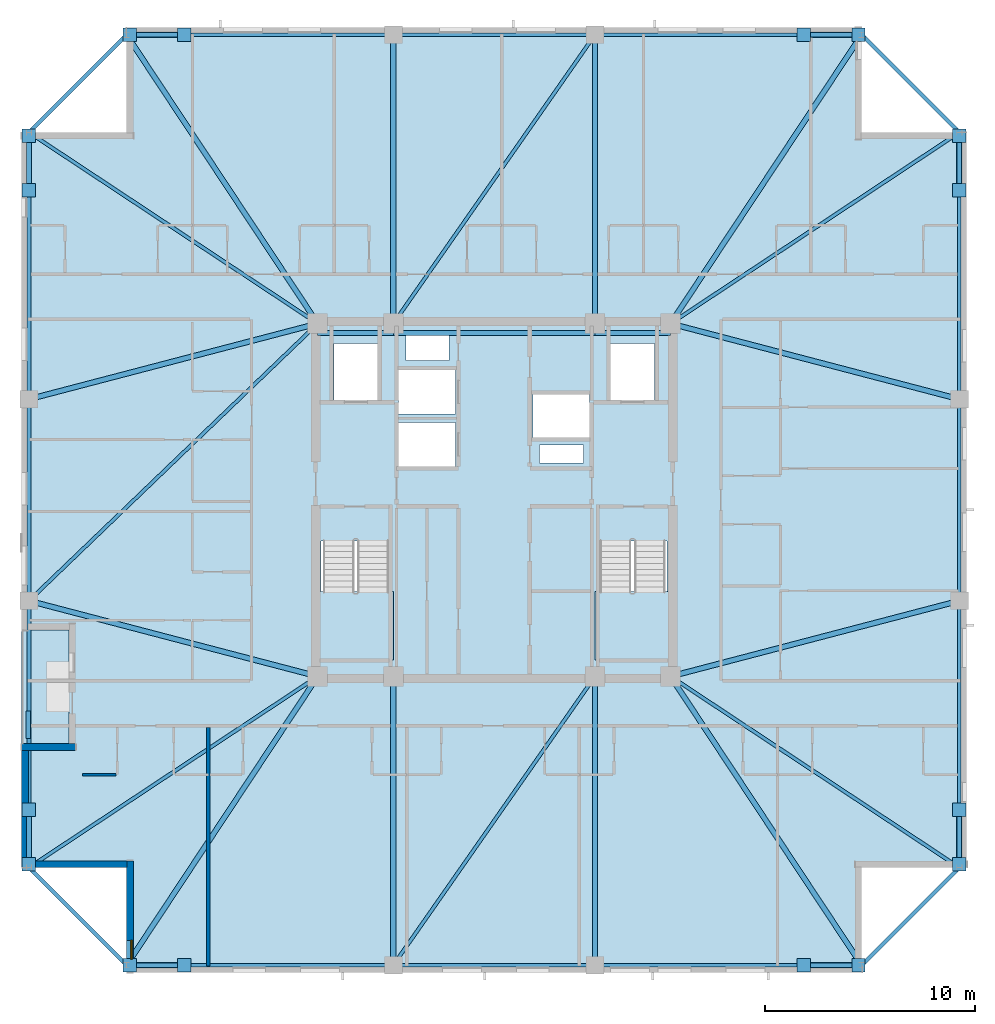
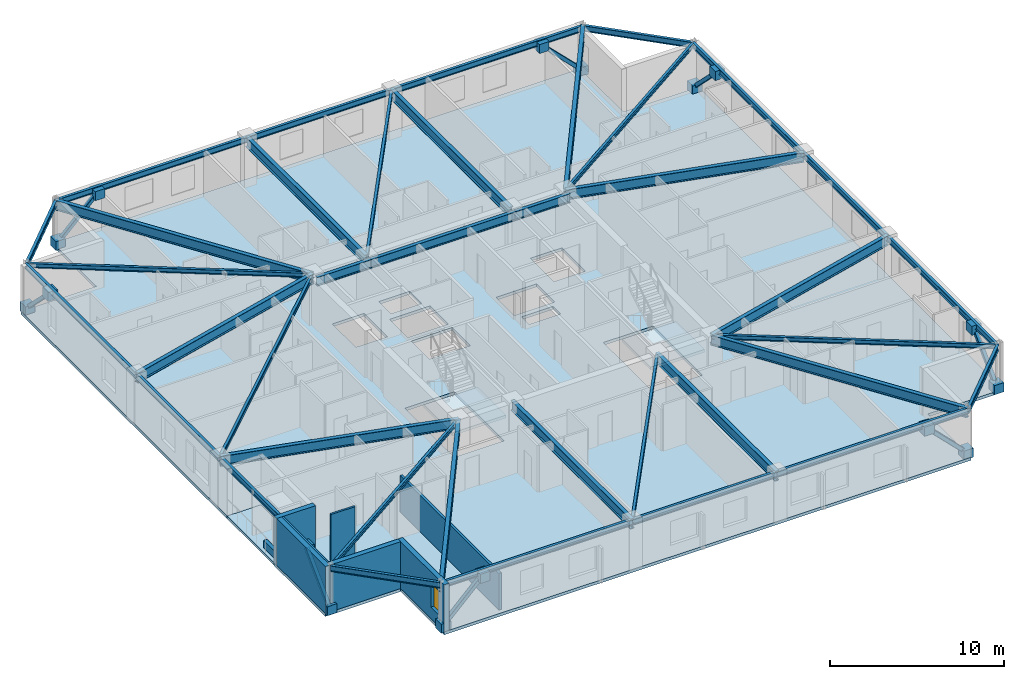
# One storey, part 6 of 17: 38 beams, 16 plates, 8 members, 7 walls, 4 slabs, 1 window, 1 opening, 2 elements without a shape of their own.
"""IFC4 building model written with IfcOpenShell, lengths in metres."""

from ifc_helpers import new_model, si_unit, direction, frame, frame_2d, origin, origin_2d, place, context, subcontext, project, spatial, polyline, rectangle, hollow_rectangle, i_section, outline, extrude, material, layer, layer_set, material_profile, profile_set, type_object, element, fill, aggregate, save


model = new_model("IFC4")

# Units and contexts
model_context = context("Model", 3, precision=1e-05, world=origin(), true_north=direction((0.0, 1.0)))
body_context = subcontext(model_context, "Body", "Model", "MODEL_VIEW")
ifc_project = project(units=[si_unit("LENGTHUNIT", "METRE"), si_unit("AREAUNIT", "SQUARE_METRE"), si_unit("VOLUMEUNIT", "CUBIC_METRE"), si_unit("PLANEANGLEUNIT", "RADIAN"), si_unit("MASSUNIT", "GRAM", prefix="KILO")], contexts=[model_context])

# Site, building, storey
site_placement = place(None, origin())
site = spatial("IfcSite", under=ifc_project, at=site_placement, CompositionType="ELEMENT")
building_placement = place(site_placement, origin())
building = spatial("IfcBuilding", under=site, at=building_placement, Name="Cairnveth Concourse Tower", CompositionType="ELEMENT")
storey_placement = place(building_placement, frame((0.0, 0.0, 251.5)))
storey = spatial("IfcBuildingStorey", under=building, at=storey_placement, Name="L69", CompositionType="ELEMENT", Elevation=251.5)

# Beams
ifc_material_1 = material(Name="Steel Grade 350", Category="steel")
ifc_material_profile_1 = material_profile(ifc_material_1, i_section(OverallWidth=0.22802734375, OverallDepth=0.60693359375, WebThickness=0.01123046875, FlangeThickness=0.017333984375, FilletRadius=0.013916015625, at=origin_2d()), Name="610UB113")
ifc_profile_set_1 = profile_set([ifc_material_profile_1], Name="Steel Grade 350")
beam_type_1 = type_object("IfcBeamType", Name="CORE TIE BEAM 610UB113", PredefinedType="T_BEAM", material=ifc_profile_set_1)
for number, where, z_axis, x_axis, name in (
    (1, (43.60009765625, 46.949951171875, 2.986572265625), (1.0, 0.0, 0.0), (0.0, 1.0, 0.0), "Beam CT-N1 L69"),
    (2, (56.800048828125, 46.949951171875, 2.986572265625), (1.0, 0.0, 0.0), (0.0, 1.0, 0.0), "Beam CT-N3 L69"),
):
    element("IfcBeam", number, at=place(storey_placement, frame(where, z_axis=z_axis, x_axis=x_axis)), inside=storey, type_object=beam_type_1, Name=name, PredefinedType="T_BEAM", context=body_context, shape_type="SweptSolid", body=[
        extrude(i_section(OverallWidth=0.22802734375, OverallDepth=0.60693359375, WebThickness=0.01123046875, FlangeThickness=0.017333984375, FilletRadius=0.013916015625, at=origin_2d()), origin(), (0.0, 0.0, 1.0), 3.599853515625),
    ])
beam_1_placement = place(storey_placement, frame((47.199951171875, 46.949951171875, 2.986572265625), z_axis=(1.0, 0.0, 0.0), x_axis=(0.0, 1.0, 0.0)))
element("IfcBeam", 3, at=beam_1_placement, inside=storey, type_object=beam_type_1, Name="Beam CT-N2 L69", PredefinedType="T_BEAM", context=body_context, shape_type="SweptSolid", body=[
    extrude(i_section(OverallWidth=0.22802734375, OverallDepth=0.60693359375, WebThickness=0.01123046875, FlangeThickness=0.017333984375, FilletRadius=0.013916015625, at=origin_2d()), origin(), (0.0, 0.0, 1.0), 9.60009765625),
])
ifc_material_profile_2 = material_profile(ifc_material_1, i_section(OverallWidth=0.166015625, OverallDepth=0.306884765625, WebThickness=0.006591796875, FlangeThickness=0.01171875, FilletRadius=0.010986328125, at=origin_2d()), Name="310UB46.2")
ifc_profile_set_2 = profile_set([ifc_material_profile_2], Name="Steel Grade 350")
beam_type_2 = type_object("IfcBeamType", Name="ZONE 3 FLOOR JOIST 310UB46.2", PredefinedType="JOIST", material=ifc_profile_set_2)
for number, where, z_axis, x_axis, name in (
    (4, (29.85009765625, 21.5, 3.136474609375), (0.833908956207, 0.551902031848, 0.0), (-0.551902031848, 0.833908956207, 0.0), "Beam FJ-CSW2 L69"),
    (5, (74.14990234375, 21.5, 3.136474609375), (-0.833908956207, 0.551902031848, 0.0), (-0.551902031848, -0.833908956207, 0.0), "Beam FJ-CSE2 L69"),
    (6, (74.14990234375, 56.5, 3.136474609375), (-0.833908956207, -0.551902031848, 0.0), (0.551902031848, -0.833908956207, 0.0), "Beam FJ-CNE2 L69"),
    (7, (29.85009765625, 56.5, 3.136474609375), (0.833908956207, -0.551902031848, 0.0), (0.551902031848, 0.833908956207, 0.0), "Beam FJ-CNW2 L69"),
):
    element("IfcBeam", number, at=place(storey_placement, frame(where, z_axis=z_axis, x_axis=x_axis)), inside=storey, type_object=beam_type_2, Name=name, PredefinedType="JOIST", context=body_context, shape_type="SweptSolid", body=[
        extrude(i_section(OverallWidth=0.166015625, OverallDepth=0.306884765625, WebThickness=0.006591796875, FlangeThickness=0.01171875, FilletRadius=0.010986328125, at=origin_2d()), origin(), (0.0, 0.0, 1.0), 16.488525390625),
    ])
for number, where, z_axis, x_axis, name in (
    (8, (47.199951171875, 16.85009765625, 3.136474609375), (0.572465304893, 0.819928944905, 0.0), (-0.819928944905, 0.572465304893, 0.0), "Beam FJ-S-M1 L69"),
    (9, (47.199951171875, 47.39990234375, 3.136474609375), (0.572465304893, 0.819928944905, 0.0), (-0.819928944905, 0.572465304893, 0.0), "Beam FJ-N-M1 L69"),
):
    element("IfcBeam", number, at=place(storey_placement, frame(where, z_axis=z_axis, x_axis=x_axis)), inside=storey, type_object=beam_type_2, Name=name, PredefinedType="JOIST", context=body_context, shape_type="SweptSolid", body=[
        extrude(i_section(OverallWidth=0.166015625, OverallDepth=0.306884765625, WebThickness=0.006591796875, FlangeThickness=0.01171875, FilletRadius=0.010986328125, at=origin_2d()), origin(), (0.0, 0.0, 1.0), 16.769775390625),
    ])
beam_2_placement = place(storey_placement, frame((29.85009765625, 34.199951171875, 3.136474609375), z_axis=(0.721388600838, 0.692530495055, 0.0), x_axis=(-0.692530495055, 0.721388600838, 0.0)))
element("IfcBeam", 10, at=beam_2_placement, inside=storey, type_object=beam_type_2, Name="Beam FJ-W-M1 L69", PredefinedType="JOIST", context=body_context, shape_type="SweptSolid", body=[
    extrude(i_section(OverallWidth=0.166015625, OverallDepth=0.306884765625, WebThickness=0.006591796875, FlangeThickness=0.01171875, FilletRadius=0.010986328125, at=origin_2d()), origin(), (0.0, 0.0, 1.0), 19.060546875),
])

# Members
ifc_material_2 = material(Name="Steel C350L0 (350 MPa)", Category="steel")
ifc_material_profile_3 = material_profile(ifc_material_2, hollow_rectangle(XDim=0.25, YDim=0.25, WallThickness=0.012451171875, InnerFilletRadius=0.012939453125, OuterFilletRadius=0.02490234375, at=origin_2d()), Name="250x250x12.5SHS")
ifc_profile_set_3 = profile_set([ifc_material_profile_3], Name="Steel C350L0 (350 MPa)")
member_type = type_object("IfcMemberType", Name="ZONE 3 PIER BRACE 250X250X12.5SHS", PredefinedType="BRACE", material=ifc_profile_set_3)
for number, where, z_axis, x_axis, name in (
    (11, (34.64990234375, 16.85009765625, 0.25), (0.708469186186, 0.0, 0.705741746126), (0.0, 1.0, 0.0), "Structural Brace PB-S1 L69"),
    (12, (69.35009765625, 16.85009765625, 0.25), (-0.708469186186, 0.0, 0.705741746126), (0.0, -1.0, 0.0), "Structural Brace PB-S2 L69"),
    (13, (34.64990234375, 61.14990234375, 0.25), (0.708469186186, 0.0, 0.705741746126), (0.0, 1.0, 0.0), "Structural Brace PB-N1 L69"),
    (14, (69.35009765625, 61.14990234375, 0.25), (-0.708469186186, 0.0, 0.705741746126), (0.0, -1.0, 0.0), "Structural Brace PB-N2 L69"),
    (15, (29.85009765625, 21.64990234375, 0.25), (0.0, 0.708469186186, 0.705741746126), (-1.0, 0.0, 0.0), "Structural Brace PB-W1 L69"),
    (16, (29.85009765625, 56.35009765625, 0.25), (0.0, -0.708469186186, 0.705741746126), (1.0, 0.0, 0.0), "Structural Brace PB-W2 L69"),
    (17, (74.14990234375, 21.64990234375, 0.25), (0.0, 0.708469186186, 0.705741746126), (-1.0, 0.0, 0.0), "Structural Brace PB-E1 L69"),
    (18, (74.14990234375, 56.35009765625, 0.25), (0.0, -0.708469186186, 0.705741746126), (1.0, 0.0, 0.0), "Structural Brace PB-E2 L69"),
):
    element("IfcMember", number, at=place(storey_placement, frame(where, z_axis=z_axis, x_axis=x_axis)), inside=storey, type_object=member_type, Name=name, PredefinedType="BRACE", context=body_context, shape_type="SweptSolid", body=[
        extrude(hollow_rectangle(XDim=0.25, YDim=0.25, WallThickness=0.012451171875, InnerFilletRadius=0.012939453125, OuterFilletRadius=0.02490234375, at=origin_2d()), origin(), (0.0, 0.0, 1.0), 3.669921875),
    ])

# Beams
ifc_material_profile_4 = material_profile(ifc_material_1, i_section(OverallWidth=0.25, OverallDepth=0.69189453125, WebThickness=0.010009765625, FlangeThickness=0.02490234375, at=origin_2d()), Name="700WB150")
ifc_profile_set_4 = profile_set([ifc_material_profile_4], Name="Steel Grade 350")
beam_type_3 = type_object("IfcBeamType", Name="ZONE 3 RADIAL GIRDER 700WB150", PredefinedType="BEAM", material=ifc_profile_set_4)
for number, where, z_axis, x_axis, name in (
    (19, (47.199951171875, 16.85009765625, 2.944091796875), (0.0, 1.0, 0.0), (-1.0, 0.0, 0.0), "Beam RG-S1 L69"),
    (20, (56.800048828125, 16.85009765625, 2.944091796875), (0.0, 1.0, 0.0), (-1.0, 0.0, 0.0), "Beam RG-S2 L69"),
    (21, (47.199951171875, 47.39990234375, 2.944091796875), (0.0, 1.0, 0.0), (-1.0, 0.0, 0.0), "Beam RG-N1 L69"),
    (22, (56.800048828125, 47.39990234375, 2.944091796875), (0.0, 1.0, 0.0), (-1.0, 0.0, 0.0), "Beam RG-N2 L69"),
):
    element("IfcBeam", number, at=place(storey_placement, frame(where, z_axis=z_axis, x_axis=x_axis)), inside=storey, type_object=beam_type_3, Name=name, PredefinedType="BEAM", context=body_context, shape_type="SweptSolid", body=[
        extrude(i_section(OverallWidth=0.25, OverallDepth=0.69189453125, WebThickness=0.010009765625, FlangeThickness=0.02490234375, at=origin_2d()), origin(), (0.0, 0.0, 1.0), 13.75),
    ])
for number, where, z_axis, x_axis, name in (
    (23, (29.85009765625, 34.199951171875, 2.944091796875), (0.967395273598, -0.253271365575, 0.0), (0.253271365575, 0.967395273598, 0.0), "Beam RG-W1 L69"),
    (24, (29.85009765625, 43.800048828125, 2.944091796875), (0.967395273598, 0.253271365575, 0.0), (-0.253271365575, 0.967395273598, 0.0), "Beam RG-W2 L69"),
    (25, (60.39990234375, 30.60009765625, 2.944091796875), (0.967395273598, 0.253271365575, 0.0), (-0.253271365575, 0.967395273598, 0.0), "Beam RG-E1 L69"),
    (26, (60.39990234375, 47.39990234375, 2.944091796875), (0.967395273598, -0.253271365575, 0.0), (0.253271365575, 0.967395273598, 0.0), "Beam RG-E2 L69"),
):
    element("IfcBeam", number, at=place(storey_placement, frame(where, z_axis=z_axis, x_axis=x_axis)), inside=storey, type_object=beam_type_3, Name=name, PredefinedType="BEAM", context=body_context, shape_type="SweptSolid", body=[
        extrude(i_section(OverallWidth=0.25, OverallDepth=0.69189453125, WebThickness=0.010009765625, FlangeThickness=0.02490234375, at=origin_2d()), origin(), (0.0, 0.0, 1.0), 14.21337890625),
    ])
for number, where, z_axis, x_axis, name in (
    (27, (34.5, 16.85009765625, 2.944091796875), (0.551902031848, 0.833908956207, 0.0), (-0.833908956207, 0.551902031848, 0.0), "Beam RG-CSW L69"),
    (28, (69.5, 16.85009765625, 2.944091796875), (-0.551902031848, 0.833908956207, 0.0), (-0.833908956207, -0.551902031848, 0.0), "Beam RG-CSE L69"),
    (29, (69.5, 61.14990234375, 2.944091796875), (-0.551902031848, -0.833908956207, 0.0), (0.833908956207, -0.551902031848, 0.0), "Beam RG-CNE L69"),
    (30, (34.5, 61.14990234375, 2.944091796875), (0.551902031848, -0.833908956207, 0.0), (0.833908956207, 0.551902031848, 0.0), "Beam RG-CNW L69"),
):
    element("IfcBeam", number, at=place(storey_placement, frame(where, z_axis=z_axis, x_axis=x_axis)), inside=storey, type_object=beam_type_3, Name=name, PredefinedType="BEAM", context=body_context, shape_type="SweptSolid", body=[
        extrude(i_section(OverallWidth=0.25, OverallDepth=0.69189453125, WebThickness=0.010009765625, FlangeThickness=0.02490234375, at=origin_2d()), origin(), (0.0, 0.0, 1.0), 16.488525390625),
    ])
ifc_material_profile_5 = material_profile(ifc_material_1, i_section(OverallWidth=0.177978515625, OverallDepth=0.406005859375, WebThickness=0.0078125, FlangeThickness=0.0126953125, FilletRadius=0.010986328125, at=origin_2d()), Name="410UB59.7")
ifc_profile_set_5 = profile_set([ifc_material_profile_5], Name="Steel Grade 350")
beam_type_4 = type_object("IfcBeamType", Name="ZONE 3 SPANDREL BEAM 410UB59.7", PredefinedType="SPANDREL", material=ifc_profile_set_5)
beam_3_placement = place(storey_placement, frame((34.5, 16.85009765625, 3.0869140625), z_axis=(1.0, 0.0, 0.0), x_axis=(0.0, 1.0, 0.0)))
element("IfcBeam", 31, at=beam_3_placement, inside=storey, type_object=beam_type_4, Name="Beam SP-S1 L69", PredefinedType="SPANDREL", context=body_context, shape_type="SweptSolid", body=[
    extrude(i_section(OverallWidth=0.177978515625, OverallDepth=0.406005859375, WebThickness=0.0078125, FlangeThickness=0.0126953125, FilletRadius=0.010986328125, at=origin_2d()), origin(), (0.0, 0.0, 1.0), 12.699951171875),
])
beam_4_placement = place(storey_placement, frame((47.199951171875, 16.85009765625, 3.0869140625), z_axis=(1.0, 0.0, 0.0), x_axis=(0.0, 1.0, 0.0)))
element("IfcBeam", 32, at=beam_4_placement, inside=storey, type_object=beam_type_4, Name="Beam SP-S2 L69", PredefinedType="SPANDREL", context=body_context, shape_type="SweptSolid", body=[
    extrude(i_section(OverallWidth=0.177978515625, OverallDepth=0.406005859375, WebThickness=0.0078125, FlangeThickness=0.0126953125, FilletRadius=0.010986328125, at=origin_2d()), origin(), (0.0, 0.0, 1.0), 9.60009765625),
])
for number, where, z_axis, x_axis, name in (
    (33, (56.800048828125, 16.85009765625, 3.0869140625), (1.0, 0.0, 0.0), (0.0, 1.0, 0.0), "Beam SP-S3 L69"),
    (34, (34.5, 61.14990234375, 3.0869140625), (1.0, 0.0, 0.0), (0.0, 1.0, 0.0), "Beam SP-N1 L69"),
):
    element("IfcBeam", number, at=place(storey_placement, frame(where, z_axis=z_axis, x_axis=x_axis)), inside=storey, type_object=beam_type_4, Name=name, PredefinedType="SPANDREL", context=body_context, shape_type="SweptSolid", body=[
        extrude(i_section(OverallWidth=0.177978515625, OverallDepth=0.406005859375, WebThickness=0.0078125, FlangeThickness=0.0126953125, FilletRadius=0.010986328125, at=origin_2d()), origin(), (0.0, 0.0, 1.0), 12.699951171875),
    ])
beam_5_placement = place(storey_placement, frame((47.199951171875, 61.14990234375, 3.0869140625), z_axis=(1.0, 0.0, 0.0), x_axis=(0.0, 1.0, 0.0)))
element("IfcBeam", 35, at=beam_5_placement, inside=storey, type_object=beam_type_4, Name="Beam SP-N2 L69", PredefinedType="SPANDREL", context=body_context, shape_type="SweptSolid", body=[
    extrude(i_section(OverallWidth=0.177978515625, OverallDepth=0.406005859375, WebThickness=0.0078125, FlangeThickness=0.0126953125, FilletRadius=0.010986328125, at=origin_2d()), origin(), (0.0, 0.0, 1.0), 9.60009765625),
])
for number, where, z_axis, x_axis, name in (
    (36, (56.800048828125, 61.14990234375, 3.0869140625), (1.0, 0.0, 0.0), (0.0, 1.0, 0.0), "Beam SP-N3 L69"),
    (37, (29.85009765625, 21.5, 3.0869140625), (0.0, 1.0, 0.0), (-1.0, 0.0, 0.0), "Beam SP-W1 L69"),
):
    element("IfcBeam", number, at=place(storey_placement, frame(where, z_axis=z_axis, x_axis=x_axis)), inside=storey, type_object=beam_type_4, Name=name, PredefinedType="SPANDREL", context=body_context, shape_type="SweptSolid", body=[
        extrude(i_section(OverallWidth=0.177978515625, OverallDepth=0.406005859375, WebThickness=0.0078125, FlangeThickness=0.0126953125, FilletRadius=0.010986328125, at=origin_2d()), origin(), (0.0, 0.0, 1.0), 12.699951171875),
    ])
beam_6_placement = place(storey_placement, frame((29.85009765625, 34.199951171875, 3.0869140625), z_axis=(0.0, 1.0, 0.0), x_axis=(-1.0, 0.0, 0.0)))
element("IfcBeam", 38, at=beam_6_placement, inside=storey, type_object=beam_type_4, Name="Beam SP-W2 L69", PredefinedType="SPANDREL", context=body_context, shape_type="SweptSolid", body=[
    extrude(i_section(OverallWidth=0.177978515625, OverallDepth=0.406005859375, WebThickness=0.0078125, FlangeThickness=0.0126953125, FilletRadius=0.010986328125, at=origin_2d()), origin(), (0.0, 0.0, 1.0), 9.60009765625),
])
for number, where, z_axis, x_axis, name in (
    (39, (29.85009765625, 43.800048828125, 3.0869140625), (0.0, 1.0, 0.0), (-1.0, 0.0, 0.0), "Beam SP-W3 L69"),
    (40, (74.14990234375, 21.5, 3.0869140625), (0.0, 1.0, 0.0), (-1.0, 0.0, 0.0), "Beam SP-E1 L69"),
):
    element("IfcBeam", number, at=place(storey_placement, frame(where, z_axis=z_axis, x_axis=x_axis)), inside=storey, type_object=beam_type_4, Name=name, PredefinedType="SPANDREL", context=body_context, shape_type="SweptSolid", body=[
        extrude(i_section(OverallWidth=0.177978515625, OverallDepth=0.406005859375, WebThickness=0.0078125, FlangeThickness=0.0126953125, FilletRadius=0.010986328125, at=origin_2d()), origin(), (0.0, 0.0, 1.0), 12.699951171875),
    ])
beam_7_placement = place(storey_placement, frame((74.14990234375, 34.199951171875, 3.0869140625), z_axis=(0.0, 1.0, 0.0), x_axis=(-1.0, 0.0, 0.0)))
element("IfcBeam", 41, at=beam_7_placement, inside=storey, type_object=beam_type_4, Name="Beam SP-E2 L69", PredefinedType="SPANDREL", context=body_context, shape_type="SweptSolid", body=[
    extrude(i_section(OverallWidth=0.177978515625, OverallDepth=0.406005859375, WebThickness=0.0078125, FlangeThickness=0.0126953125, FilletRadius=0.010986328125, at=origin_2d()), origin(), (0.0, 0.0, 1.0), 9.60009765625),
])
beam_8_placement = place(storey_placement, frame((74.14990234375, 43.800048828125, 3.0869140625), z_axis=(0.0, 1.0, 0.0), x_axis=(-1.0, 0.0, 0.0)))
element("IfcBeam", 42, at=beam_8_placement, inside=storey, type_object=beam_type_4, Name="Beam SP-E3 L69", PredefinedType="SPANDREL", context=body_context, shape_type="SweptSolid", body=[
    extrude(i_section(OverallWidth=0.177978515625, OverallDepth=0.406005859375, WebThickness=0.0078125, FlangeThickness=0.0126953125, FilletRadius=0.010986328125, at=origin_2d()), origin(), (0.0, 0.0, 1.0), 12.699951171875),
])
for number, where, z_axis, x_axis, name in (
    (43, (29.85009765625, 21.5, 3.0869140625), (0.707106781187, -0.707106781187, 0.0), (0.707106781187, 0.707106781187, 0.0), "Beam SP-SW L69"),
    (44, (69.5, 16.85009765625, 3.0869140625), (0.707106781187, 0.707106781187, 0.0), (-0.707106781187, 0.707106781187, 0.0), "Beam SP-SE L69"),
    (45, (69.5, 61.14990234375, 3.0869140625), (0.707106781187, -0.707106781187, 0.0), (0.707106781187, 0.707106781187, 0.0), "Beam SP-NE L69"),
    (46, (29.85009765625, 56.5, 3.0869140625), (0.707106781187, 0.707106781187, 0.0), (-0.707106781187, 0.707106781187, 0.0), "Beam SP-NW L69"),
):
    element("IfcBeam", number, at=place(storey_placement, frame(where, z_axis=z_axis, x_axis=x_axis)), inside=storey, type_object=beam_type_4, Name=name, PredefinedType="SPANDREL", context=body_context, shape_type="SweptSolid", body=[
        extrude(i_section(OverallWidth=0.177978515625, OverallDepth=0.406005859375, WebThickness=0.0078125, FlangeThickness=0.0126953125, FilletRadius=0.010986328125, at=origin_2d()), origin(), (0.0, 0.0, 1.0), 6.575927734375),
    ])

# Plates
ifc_layer_1 = layer(ifc_material_1, 0.031982421875)
ifc_layer_set_1 = layer_set([ifc_layer_1], Name="Steel Grade 350")
plate_type = type_object("IfcPlateType", Name="PERIMETER BRACE GUSSET PLATE 32", PredefinedType="USERDEFINED", material=ifc_layer_set_1)
for number, where, z_axis, x_axis, name in (
    (47, (34.64990234375, 16.85009765625, -0.06982421875), (0.0, 0.0, 1.0), (1.0, 0.0, 0.0), "Structural Node Plate 1189 L69"),
    (48, (37.25, 16.85009765625, 2.52001953125), (0.0, 0.0, 1.0), (1.0, 0.0, 0.0), "Structural Node Plate 1190 L69"),
    (49, (69.35009765625, 16.85009765625, -0.06982421875), (0.0, 0.0, 1.0), (1.0, 0.0, 0.0), "Structural Node Plate 1191 L69"),
    (50, (66.75, 16.85009765625, 2.52001953125), (0.0, 0.0, 1.0), (1.0, 0.0, 0.0), "Structural Node Plate 1192 L69"),
    (51, (34.64990234375, 61.14990234375, -0.06982421875), (0.0, 0.0, 1.0), (1.0, 0.0, 0.0), "Structural Node Plate 1193 L69"),
    (52, (37.25, 61.14990234375, 2.52001953125), (0.0, 0.0, 1.0), (1.0, 0.0, 0.0), "Structural Node Plate 1194 L69"),
    (53, (69.35009765625, 61.14990234375, -0.06982421875), (0.0, 0.0, 1.0), (1.0, 0.0, 0.0), "Structural Node Plate 1195 L69"),
    (54, (66.75, 61.14990234375, 2.52001953125), (0.0, 0.0, 1.0), (1.0, 0.0, 0.0), "Structural Node Plate 1196 L69"),
    (55, (29.85009765625, 21.64990234375, -0.06982421875), (0.0, 0.0, 1.0), (1.0, 0.0, 0.0), "Structural Node Plate 1197 L69"),
    (56, (29.85009765625, 24.25, 2.52001953125), (0.0, 0.0, 1.0), (1.0, 0.0, 0.0), "Structural Node Plate 1198 L69"),
    (57, (29.85009765625, 56.35009765625, -0.06982421875), (0.0, 0.0, 1.0), (1.0, 0.0, 0.0), "Structural Node Plate 1199 L69"),
    (58, (29.85009765625, 53.75, 2.52001953125), (0.0, 0.0, 1.0), (1.0, 0.0, 0.0), "Structural Node Plate 1200 L69"),
    (59, (74.14990234375, 21.64990234375, -0.06982421875), (0.0, 0.0, 1.0), (1.0, 0.0, 0.0), "Structural Node Plate 1201 L69"),
    (60, (74.14990234375, 24.25, 2.52001953125), (0.0, 0.0, 1.0), (1.0, 0.0, 0.0), "Structural Node Plate 1202 L69"),
    (61, (74.14990234375, 56.35009765625, -0.06982421875), (0.0, 0.0, 1.0), (1.0, 0.0, 0.0), "Structural Node Plate 1203 L69"),
    (62, (74.14990234375, 53.75, 2.52001953125), (0.0, 0.0, 1.0), (1.0, 0.0, 0.0), "Structural Node Plate 1204 L69"),
):
    element("IfcPlate", number, at=place(storey_placement, frame(where, z_axis=z_axis, x_axis=x_axis)), inside=storey, type_object=plate_type, Name=name, ObjectType="GUSSET PLATE", PredefinedType="USERDEFINED", context=body_context, shape_type="SweptSolid", body=[
        extrude(rectangle(XDim=0.639892578125, YDim=0.639892578125, at=origin_2d()), origin(), (0.0, 0.0, 1.0), 0.639892578125),
    ])

# Slab
ifc_material_3 = material(Name="Concrete N50 (50 MPa)", Category="concrete")
ifc_layer_2 = layer(ifc_material_3, 0.18994140625)
ifc_layer_set_2 = layer_set([ifc_layer_2], Name="Concrete N50 (50 MPa)")
slab_type_1 = type_object("IfcSlabType", Name="SPIRAL OUTDOOR TERRACE SLAB 190", PredefinedType="FLOOR", material=ifc_layer_set_2)
slab_1_placement = place(storey_placement, frame((0.0, 0.0, -0.18994140625)))
element("IfcSlab", 63, at=slab_1_placement, inside=storey, type_object=slab_type_1, Name="Spiral Terrace Slab L69", PredefinedType="FLOOR", context=body_context, shape_type="SweptSolid", body=[
    extrude(outline(polyline([(29.5, 27.39990234375), (31.75, 27.39990234375), (31.75, 32.800048828125), (29.5, 32.800048828125), (29.5, 27.39990234375)])), origin(), (0.0, 0.0, 1.0), 0.18994140625),
])

# Stair, slab
ifc_material_4 = material(Name="Precast concrete N50 (50 MPa)", Category="concrete")
stair_type = type_object("IfcStairType", Name="CORE DOG-LEG FIRE STAIR 1500", PredefinedType="HALF_TURN_STAIR", material=ifc_material_4)
stair_1_placement = place(storey_placement, origin())
stair_1 = element("IfcStair", 64, at=stair_1_placement, inside=storey, type_object=stair_type, Name="L69 Fire-Isolated Stair ST-1", PredefinedType="HALF_TURN_STAIR")
ifc_layer_3 = layer(ifc_material_3, 0.199951171875)
ifc_layer_set_3 = layer_set([ifc_layer_3], Name="Concrete N50 (50 MPa)")
slab_type_2 = type_object("IfcSlabType", Name="STAIR HALF LANDING SLAB 200", PredefinedType="LANDING", material=ifc_layer_set_3)
slab_2_placement = place(storey_placement, frame((0.0, 0.0, 1.550048828125)))
slab_2 = element("IfcSlab", 65, at=slab_2_placement, type_object=slab_type_2, Name="ST-1 landing 1", PredefinedType="LANDING", context=body_context, shape_type="SweptSolid", body=[
    extrude(outline(polyline([(43.6201171875, 34.639892578125), (43.6201171875, 31.3701171875), (47.199951171875, 31.3701171875), (47.199951171875, 34.639892578125), (43.6201171875, 34.639892578125)])), origin(), (0.0, 0.0, 1.0), 0.199951171875),
])
aggregate(stair_1, [slab_2])

stair_2_placement = place(storey_placement, origin())
stair_2 = element("IfcStair", 66, at=stair_2_placement, inside=storey, type_object=stair_type, Name="L69 Fire-Isolated Stair ST-2", PredefinedType="HALF_TURN_STAIR")
slab_3_placement = place(storey_placement, frame((0.0, 0.0, 1.550048828125)))
slab_3 = element("IfcSlab", 67, at=slab_3_placement, type_object=slab_type_2, Name="ST-2 landing 1", PredefinedType="LANDING", context=body_context, shape_type="SweptSolid", body=[
    extrude(outline(polyline([(56.800048828125, 34.639892578125), (56.800048828125, 31.3701171875), (60.3798828125, 31.3701171875), (60.3798828125, 34.639892578125), (56.800048828125, 34.639892578125)])), origin(), (0.0, 0.0, 1.0), 0.199951171875),
])
aggregate(stair_2, [slab_3])

# Slab
ifc_layer_4 = layer(ifc_material_3, 0.2099609375)
ifc_layer_set_4 = layer_set([ifc_layer_4], Name="Concrete N50 (50 MPa)")
slab_type_3 = type_object("IfcSlabType", Name="UPPER TOWER COMPOSITE SLAB 210", PredefinedType="FLOOR", material=ifc_layer_set_4)
slab_4_placement = place(storey_placement, frame((0.0, 0.0, -0.2099609375)))
element("IfcSlab", 68, at=slab_4_placement, inside=storey, type_object=slab_type_3, Name="Tower Floor Slab L69", PredefinedType="FLOOR", context=body_context, shape_type="SweptSolid", body=[
    extrude(outline(polyline([(29.5, 32.800048828125), (31.75, 32.800048828125), (31.75, 27.39990234375), (29.5, 27.39990234375), (29.5, 21.5), (34.5, 21.5), (34.5, 16.5), (69.5, 16.5), (69.5, 21.5), (74.5, 21.5), (74.5, 56.5), (69.5, 56.5), (69.5, 61.5), (34.5, 61.5), (34.5, 56.5), (29.5, 56.5), (29.5, 32.800048828125)]), holes=[polyline([(43.760009765625, 31.360107421875), (47.06005859375, 31.360107421875), (47.06005859375, 37.0400390625), (43.760009765625, 37.0400390625), (43.760009765625, 31.360107421875)]), polyline([(56.93994140625, 31.360107421875), (60.239990234375, 31.360107421875), (60.239990234375, 37.0400390625), (56.93994140625, 37.0400390625), (56.93994140625, 31.360107421875)]), polyline([(44.3701171875, 43.75), (46.469970703125, 43.75), (46.469970703125, 46.449951171875), (44.3701171875, 46.449951171875), (44.3701171875, 43.75)]), polyline([(57.530029296875, 43.75), (59.6298828125, 43.75), (59.6298828125, 46.449951171875), (57.530029296875, 46.449951171875), (57.530029296875, 43.75)]), polyline([(47.449951171875, 40.60009765625), (50.14990234375, 40.60009765625), (50.14990234375, 42.699951171875), (47.449951171875, 42.699951171875), (47.449951171875, 40.60009765625)]), polyline([(47.449951171875, 43.10009765625), (50.14990234375, 43.10009765625), (50.14990234375, 45.199951171875), (47.449951171875, 45.199951171875), (47.449951171875, 43.10009765625)]), polyline([(53.85009765625, 41.949951171875), (56.550048828125, 41.949951171875), (56.550048828125, 44.050048828125), (53.85009765625, 44.050048828125), (53.85009765625, 41.949951171875)]), polyline([(47.800048828125, 45.64990234375), (49.85009765625, 45.64990234375), (49.85009765625, 47.050048828125), (47.800048828125, 47.050048828125), (47.800048828125, 45.64990234375)]), polyline([(54.14990234375, 40.75), (56.25, 40.75), (56.25, 41.6201171875), (54.14990234375, 41.6201171875), (54.14990234375, 40.75)])]), origin(), (0.0, 0.0, 1.0), 0.2099609375),
])

# Walls
ifc_material_5 = material(Name="Gypsum Plasterboard Partition", Category="gypsum")
ifc_layer_5 = layer(ifc_material_5, 0.159912109375)
ifc_layer_set_5 = layer_set([ifc_layer_5], Name="Gypsum Plasterboard Partition")
wall_type_1 = type_object("IfcWallType", Name="ACOUSTIC PARTY WALL 180", PredefinedType="PARTITIONING", material=ifc_layer_set_5)
wall_1_placement = place(storey_placement, frame((38.39453125, 16.804931640625, 0.0), z_axis=(0.0, 0.0, 1.0), x_axis=(0.0, 1.0, 0.0)))
element("IfcWall", 69, at=wall_1_placement, inside=storey, type_object=wall_type_1, Name="Interior Wall IW-L69-047", PredefinedType="PARTITIONING", context=body_context, shape_type="SweptSolid", body=[
    extrude(rectangle(XDim=11.36767578125, YDim=0.159912109375, at=frame_2d((5.683837890625, 0.0))), origin(), (0.0, 0.0, 1.0), 2.572998046875),
])
ifc_material_6 = material(Name="Dressed Melbourne Bluestone Cladding", Category="masonry")
ifc_layer_6 = layer(ifc_material_6, 0.219970703125)
ifc_layer_set_6 = layer_set([ifc_layer_6], Name="Dressed Melbourne Bluestone Cladding")
wall_type_2 = type_object("IfcWallType", Name="TERRACE PLANTER CURB WALL 220", PredefinedType="PARAPET", material=ifc_layer_set_6)
wall_2_placement = place(storey_placement, frame((29.820068359375, 27.64990234375, 0.0), z_axis=(0.0, 0.0, 1.0), x_axis=(0.0, 1.0, 0.0)))
element("IfcWall", 70, at=wall_2_placement, inside=storey, type_object=wall_type_2, Name="Exterior Wall PLNT-L69-TERR", PredefinedType="PARAPET", context=body_context, shape_type="SweptSolid", body=[
    extrude(rectangle(XDim=1.300048828125, YDim=0.219970703125, at=frame_2d((0.64990234375, 0.0))), origin(), (0.0, 0.0, 1.0), 0.550048828125),
])
ifc_layer_7 = layer(ifc_material_5, 0.1298828125)
ifc_layer_set_7 = layer_set([ifc_layer_7], Name="Gypsum Plasterboard Partition")
wall_type_3 = type_object("IfcWallType", Name="WET AREA PARTITION 140", PredefinedType="PLUMBINGWALL", material=ifc_layer_set_7)
wall_3_placement = place(storey_placement, frame((32.39990234375, 25.922607421875, 0.0), z_axis=(0.0, 0.0, 1.0), x_axis=(1.0, 0.0, 0.0)))
element("IfcWall", 71, at=wall_3_placement, inside=storey, type_object=wall_type_3, Name="Interior Wall IW-L69-044", PredefinedType="PLUMBINGWALL", context=body_context, shape_type="SweptSolid", body=[
    extrude(rectangle(XDim=1.60009765625, YDim=0.1298828125, at=frame_2d((0.800048828125, 0.0))), origin(), (0.0, 0.0, 1.0), 3.2900390625),
])

# Wall, opening, window
ifc_material_7 = material(Name="Melbourne Buff Fired Clay Brick Masonry", Category="masonry")
ifc_layer_8 = layer(ifc_material_7, 0.320068359375)
ifc_layer_set_8 = layer_set([ifc_layer_8], Name="Melbourne Buff Fired Clay Brick Masonry")
wall_type_4 = type_object("IfcWallType", Name="ZONE 3 BRICK PIER SPANDREL WALL 320", PredefinedType="SOLIDWALL", material=ifc_layer_set_8)
wall_4_placement = place(storey_placement, frame((34.659912109375, 16.5, 0.0), z_axis=(0.0, 0.0, 1.0), x_axis=(0.0, 1.0, 0.0)))
wall_4 = element("IfcWall", 72, at=wall_4_placement, inside=storey, type_object=wall_type_4, Name="Exterior Wall EW-L69-S10", PredefinedType="SOLIDWALL", context=body_context, shape_type="SweptSolid", body=[
    extrude(rectangle(XDim=5.320068359375, YDim=0.320068359375, at=frame_2d((2.66015625, 0.0))), origin(), (0.0, 0.0, 1.0), 3.2900390625),
])
opening_placement = place(wall_4_placement, frame((0.6298828125, 0.0, 0.800048828125)))
opening = element("IfcOpeningElement", 73, at=opening_placement, cuts=wall_4, Name="Opening W13", PredefinedType="OPENING", context=body_context, shape_type="SweptSolid", body=[
    extrude(rectangle(XDim=0.89990234375, YDim=1.677978515625, at=frame_2d((0.449951171875, 0.8388671875))), frame((0.0, 0.169921875, 0.0), z_axis=(0.0, -1.0, 0.0), x_axis=(1.0, 0.0, 0.0)), (0.0, 0.0, 1.0), 0.340087890625),
])
ifc_material_8 = material(Name="Double Glazed Low-E Clear Glass", Category="glass")
window_type = type_object("IfcWindowType", Name="DEEP-SET BEDROOM LANCET WINDOW 900X1750", PartitioningType="DOUBLE_PANEL_VERTICAL", PredefinedType="WINDOW", material=ifc_material_8)
window_placement = place(opening_placement, origin())
window = element("IfcWindow", 74, at=window_placement, inside=storey, type_object=window_type, Name="Dwelling Lancet Window L69-DW1", OverallHeight=1.677978515625, OverallWidth=0.89990234375, PartitioningType="SINGLE_PANEL", PredefinedType="WINDOW", context=body_context, shape_type="SweptSolid", body=[
    extrude(rectangle(XDim=0.89990234375, YDim=1.677978515625, at=frame_2d((0.449951171875, 0.8388671875))), frame((0.0, -0.0400390625, 0.0), z_axis=(0.0, -1.0, 0.0), x_axis=(1.0, 0.0, 0.0)), (0.0, 0.0, 1.0), 0.06005859375),
])
fill(opening, window)

# Walls
wall_5_placement = place(storey_placement, frame((34.52197265625, 21.659912109375, 0.0), z_axis=(0.0, 0.0, 1.0), x_axis=(-1.0, 0.0, 0.0)))
element("IfcWall", 75, at=wall_5_placement, inside=storey, type_object=wall_type_4, Name="Exterior Wall EW-L69-S11", PredefinedType="SOLIDWALL", context=body_context, shape_type="SweptSolid", body=[
    extrude(rectangle(XDim=4.723876953125, YDim=0.320068359375, at=frame_2d((2.36181640625, 0.0))), origin(), (0.0, 0.0, 1.0), 3.2900390625),
])
wall_6_placement = place(storey_placement, frame((29.659912109375, 21.5, 0.0), z_axis=(0.0, 0.0, 1.0), x_axis=(0.0, 1.0, 0.0)))
element("IfcWall", 76, at=wall_6_placement, inside=storey, type_object=wall_type_4, Name="Exterior Wall EW-L69-S12", PredefinedType="SOLIDWALL", context=body_context, shape_type="SweptSolid", body=[
    extrude(rectangle(XDim=5.60205078125, YDim=0.320068359375, at=frame_2d((2.801025390625, 0.0))), origin(), (0.0, 0.0, 1.0), 3.2900390625),
])
wall_7_placement = place(storey_placement, frame((29.5, 27.239990234375, 0.0), z_axis=(0.0, 0.0, 1.0), x_axis=(1.0, 0.0, 0.0)))
element("IfcWall", 77, at=wall_7_placement, inside=storey, type_object=wall_type_4, Name="Exterior Wall EW-L69-S13", PredefinedType="SOLIDWALL", context=body_context, shape_type="SweptSolid", body=[
    extrude(rectangle(XDim=2.570068359375, YDim=0.320068359375, at=frame_2d((1.28515625, 0.0))), origin(), (0.0, 0.0, 1.0), 3.2900390625),
])

save(model, "model.ifc")
